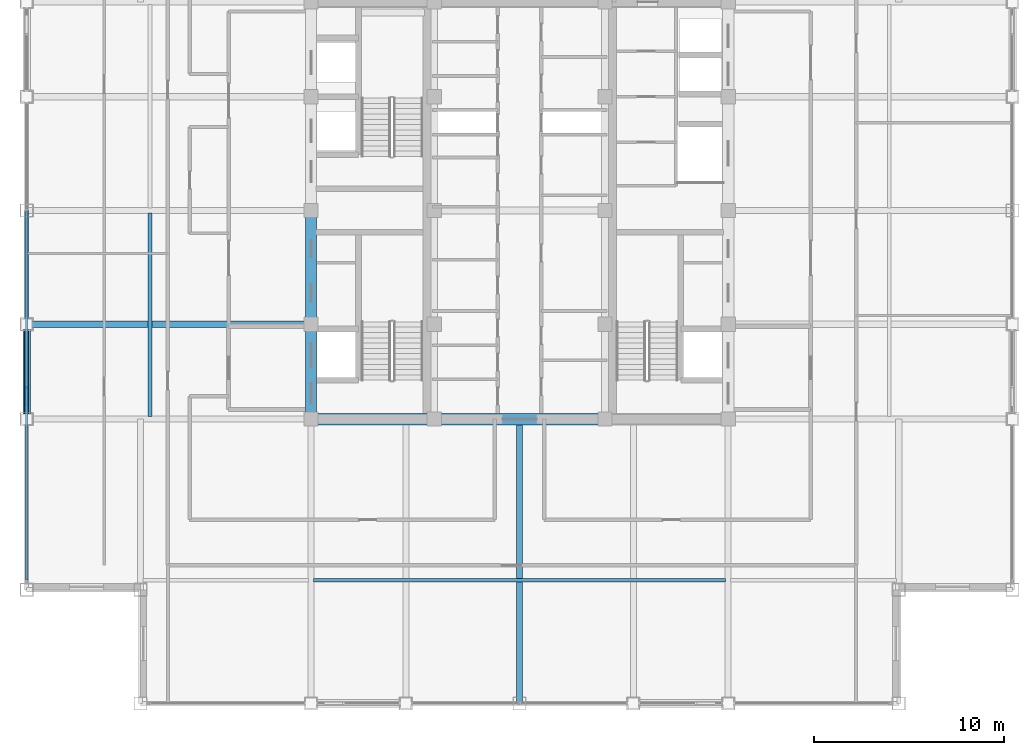
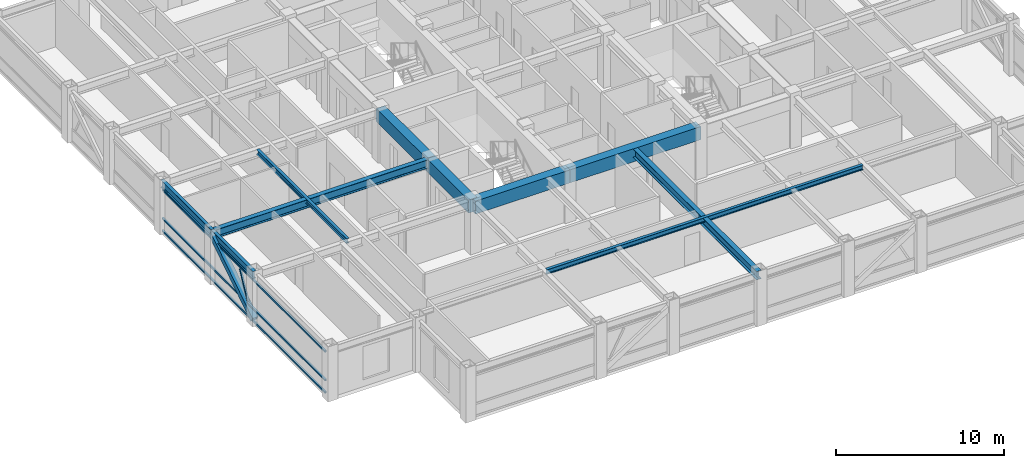
# One storey, part 5 of 29: 10 beams, 5 members, 1 element without a shape of its own.
"""IFC4 building model written with IfcOpenShell, lengths in metres."""

from ifc_helpers import new_model, si_unit, direction, frame, origin, origin_2d, place, context, subcontext, project, spatial, rectangle, hollow_rectangle, i_section, extrude, source, transform, mapped, material, material_profile, profile_set, type_object, element, aggregate, save


model = new_model("IFC4")

# Units and contexts
model_context = context("Model", 3, precision=1e-05, world=origin(), true_north=direction((0.0, 1.0)))
body_context = subcontext(model_context, "Body", "Model", "MODEL_VIEW")
ifc_project = project(units=[si_unit("LENGTHUNIT", "METRE"), si_unit("AREAUNIT", "SQUARE_METRE"), si_unit("VOLUMEUNIT", "CUBIC_METRE"), si_unit("PLANEANGLEUNIT", "RADIAN"), si_unit("MASSUNIT", "GRAM", prefix="KILO")], contexts=[model_context])

# Site, building, storey
site_placement = place(None, origin())
site = spatial("IfcSite", under=ifc_project, at=site_placement, CompositionType="ELEMENT")
building_placement = place(site_placement, origin())
building = spatial("IfcBuilding", under=site, at=building_placement, Name="Khorayat Bourse Tower", CompositionType="ELEMENT")
storey_placement = place(building_placement, frame((0.0, 0.0, 358.300048828125)))
storey = spatial("IfcBuildingStorey", under=building, at=storey_placement, Name="L85", CompositionType="ELEMENT", Elevation=358.300048828125)

# Beams
ifc_material_1 = material(Name="Concrete C60/75", Category="concrete")
ifc_material_profile_1 = material_profile(ifc_material_1, rectangle(XDim=0.60009765625, YDim=0.949951171875, at=origin_2d()), Name="RC 600x950")
ifc_profile_set_1 = profile_set([ifc_material_profile_1], Name="Concrete C60/75")
beam_type_1 = type_object("IfcBeamType", Name="BM-COUP-950", PredefinedType="BEAM", material=ifc_profile_set_1)
shared_shape_1 = source(origin(), body_context, "Body", "SweptSolid", [
    extrude(rectangle(XDim=0.60009765625, YDim=0.949951171875, at=origin_2d()), origin(), (0.0, 0.0, 1.0), 5.0),
])
beam_1_placement = place(storey_placement, frame((-11.0, -11.0, 3.264892578125), z_axis=(0.0, 1.0, 0.0), x_axis=(-1.0, 0.0, 0.0)))
element("IfcBeam", 1, at=beam_1_placement, inside=storey, type_object=beam_type_1, Name="L85 BM-COUP-950 BM-L85-CRX-01", PredefinedType="BEAM", context=body_context, shape_type="MappedRepresentation", body=[
    mapped(shared_shape_1, transform((0.0, 0.0, 0.0), scale=1.0)),
])
shared_shape_2 = source(origin(), body_context, "Body", "SweptSolid", [
    extrude(rectangle(XDim=0.60009765625, YDim=0.949951171875, at=origin_2d()), origin(), (0.0, 0.0, 1.0), 6.0),
])
beam_2_placement = place(storey_placement, frame((-11.0, -6.0, 3.264892578125), z_axis=(0.0, 1.0, 0.0), x_axis=(-1.0, 0.0, 0.0)))
element("IfcBeam", 2, at=beam_2_placement, inside=storey, type_object=beam_type_1, Name="L85 BM-COUP-950 BM-L85-CRX-02", PredefinedType="BEAM", context=body_context, shape_type="MappedRepresentation", body=[
    mapped(shared_shape_2, transform((0.0, 0.0, 0.0), scale=1.0)),
])
shared_shape_3 = source(origin(), body_context, "Body", "SweptSolid", [
    extrude(rectangle(XDim=0.60009765625, YDim=0.949951171875, at=origin_2d()), origin(), (0.0, 0.0, 1.0), 6.5),
])
beam_3_placement = place(storey_placement, frame((-11.0, -11.0, 3.264892578125), z_axis=(1.0, 0.0, 0.0), x_axis=(0.0, 1.0, 0.0)))
element("IfcBeam", 3, at=beam_3_placement, inside=storey, type_object=beam_type_1, Name="L85 BM-COUP-950 BM-L85-CRY-17", PredefinedType="BEAM", context=body_context, shape_type="MappedRepresentation", body=[
    mapped(shared_shape_3, transform((0.0, 0.0, 0.0), scale=1.0)),
])
shared_shape_4 = source(origin(), body_context, "Body", "SweptSolid", [
    extrude(rectangle(XDim=0.60009765625, YDim=0.949951171875, at=origin_2d()), origin(), (0.0, 0.0, 1.0), 9.0),
])
beam_4_placement = place(storey_placement, frame((-4.5, -11.0, 3.264892578125), z_axis=(1.0, 0.0, 0.0), x_axis=(0.0, 1.0, 0.0)))
element("IfcBeam", 4, at=beam_4_placement, inside=storey, type_object=beam_type_1, Name="L85 BM-COUP-950 BM-L85-CRY-18", PredefinedType="BEAM", context=body_context, shape_type="MappedRepresentation", body=[
    mapped(shared_shape_4, transform((0.0, 0.0, 0.0), scale=1.0)),
])
ifc_material_2 = material(Name="Steel ASTM A992 Grade 50", Category="steel")
ifc_material_profile_2 = material_profile(ifc_material_2, i_section(OverallWidth=0.202880859375, OverallDepth=0.346923828125, WebThickness=0.0078125, FlangeThickness=0.013427734375, FilletRadius=0.010009765625, at=origin_2d()), Name="W360X64")
ifc_profile_set_2 = profile_set([ifc_material_profile_2], Name="Steel ASTM A992 Grade 50")
beam_type_2 = type_object("IfcBeamType", Name="BM-JOIST-360", PredefinedType="JOIST", material=ifc_profile_set_2)
shared_shape_5 = source(origin(), body_context, "Body", "SweptSolid", [
    extrude(i_section(OverallWidth=0.202880859375, OverallDepth=0.346923828125, WebThickness=0.0078125, FlangeThickness=0.013427734375, FilletRadius=0.010009765625, at=origin_2d()), origin(), (0.0, 0.0, 1.0), 21.740234375),
])
beam_5_placement = place(storey_placement, frame((-10.8701171875, -19.5, 3.56640625), z_axis=(1.0, 0.0, 0.0), x_axis=(0.0, 1.0, 0.0)))
element("IfcBeam", 5, at=beam_5_placement, inside=storey, type_object=beam_type_2, Name="L85 BM-JOIST-360 BM-L85-JSTX-081", PredefinedType="JOIST", context=body_context, shape_type="MappedRepresentation", body=[
    mapped(shared_shape_5, transform((0.0, 0.0, 0.0), scale=1.0)),
])
shared_shape_6 = source(origin(), body_context, "Body", "SweptSolid", [
    extrude(i_section(OverallWidth=0.202880859375, OverallDepth=0.346923828125, WebThickness=0.0078125, FlangeThickness=0.013427734375, FilletRadius=0.010009765625, at=origin_2d()), origin(), (0.0, 0.0, 1.0), 10.740234375),
])
beam_6_placement = place(storey_placement, frame((-19.5, -10.8701171875, 3.56640625), z_axis=(0.0, 1.0, 0.0), x_axis=(-1.0, 0.0, 0.0)))
element("IfcBeam", 6, at=beam_6_placement, inside=storey, type_object=beam_type_2, Name="L85 BM-JOIST-360 BM-L85-JSTY-086", PredefinedType="JOIST", context=body_context, shape_type="MappedRepresentation", body=[
    mapped(shared_shape_6, transform((0.0, 0.0, 0.0), scale=1.0)),
])
ifc_material_profile_3 = material_profile(ifc_material_2, i_section(OverallWidth=0.214111328125, OverallDepth=0.549072265625, WebThickness=0.0146484375, FlangeThickness=0.023681640625, FilletRadius=0.013916015625, at=origin_2d()), Name="W530X138")
ifc_profile_set_3 = profile_set([ifc_material_profile_3], Name="Steel ASTM A992 Grade 50")
beam_type_3 = type_object("IfcBeamType", Name="BM-SPAN-530", PredefinedType="SPANDREL", material=ifc_profile_set_3)
shared_shape_7 = source(origin(), body_context, "Body", "SweptSolid", [
    extrude(i_section(OverallWidth=0.214111328125, OverallDepth=0.549072265625, WebThickness=0.0146484375, FlangeThickness=0.023681640625, FilletRadius=0.013916015625, at=origin_2d()), origin(), (0.0, 0.0, 1.0), 5.0),
])
beam_7_placement = place(storey_placement, frame((-26.0, -11.0, 3.46533203125), z_axis=(0.0, 1.0, 0.0), x_axis=(-1.0, 0.0, 0.0)))
element("IfcBeam", 7, at=beam_7_placement, inside=storey, type_object=beam_type_3, Name="L85 BM-SPAN-530 BM-L85-SPN-052", PredefinedType="SPANDREL", context=body_context, shape_type="MappedRepresentation", body=[
    mapped(shared_shape_7, transform((0.0, 0.0, 0.0), scale=1.0)),
])
shared_shape_8 = source(origin(), body_context, "Body", "SweptSolid", [
    extrude(i_section(OverallWidth=0.214111328125, OverallDepth=0.549072265625, WebThickness=0.0146484375, FlangeThickness=0.023681640625, FilletRadius=0.013916015625, at=origin_2d()), origin(), (0.0, 0.0, 1.0), 6.0),
])
beam_8_placement = place(storey_placement, frame((-26.0, -6.0, 3.46533203125), z_axis=(0.0, 1.0, 0.0), x_axis=(-1.0, 0.0, 0.0)))
element("IfcBeam", 8, at=beam_8_placement, inside=storey, type_object=beam_type_3, Name="L85 BM-SPAN-530 BM-L85-SPN-051", PredefinedType="SPANDREL", context=body_context, shape_type="MappedRepresentation", body=[
    mapped(shared_shape_8, transform((0.0, 0.0, 0.0), scale=1.0)),
])
ifc_material_profile_4 = material_profile(ifc_material_2, i_section(OverallWidth=0.324951171875, OverallDepth=0.615966796875, WebThickness=0.013916015625, FlangeThickness=0.021484375, FilletRadius=0.01611328125, at=origin_2d()), Name="W610X174")
ifc_profile_set_4 = profile_set([ifc_material_profile_4], Name="Steel ASTM A992 Grade 50")
beam_type_4 = type_object("IfcBeamType", Name="BM-GIRD-610", PredefinedType="BEAM", material=ifc_profile_set_4)
shared_shape_9 = source(origin(), body_context, "Body", "SweptSolid", [
    extrude(i_section(OverallWidth=0.324951171875, OverallDepth=0.615966796875, WebThickness=0.013916015625, FlangeThickness=0.021484375, FilletRadius=0.01611328125, at=origin_2d()), origin(), (0.0, 0.0, 1.0), 15.0),
])
for number, where, z_axis, x_axis, name in (
    (9, (0.0, -26.0, 3.431884765625), (0.0, 1.0, 0.0), (-1.0, 0.0, 0.0), "L85 BM-GIRD-610 BM-L85-RADY-061"),
    (10, (-26.0, -6.0, 3.431884765625), (1.0, 0.0, 0.0), (0.0, 1.0, 0.0), "L85 BM-GIRD-610 BM-L85-RADX-069"),
):
    element("IfcBeam", number, at=place(storey_placement, frame(where, z_axis=z_axis, x_axis=x_axis)), inside=storey, type_object=beam_type_4, Name=name, PredefinedType="BEAM", context=body_context, shape_type="MappedRepresentation", body=[
        mapped(shared_shape_9, transform((0.0, 0.0, 0.0), scale=1.0)),
    ])

# Member
ifc_material_3 = material(Name="Steel EN 10025-4 S460M", Category="steel")
ifc_material_profile_5 = material_profile(ifc_material_3, hollow_rectangle(XDim=0.39990234375, YDim=0.39990234375, WallThickness=0.02197265625, at=origin_2d()), Name="HSS 400x400x22")
ifc_profile_set_5 = profile_set([ifc_material_profile_5], Name="Steel EN 10025-4 S460M")
member_type_1 = type_object("IfcMemberType", Name="MBR-TUBE-400", PredefinedType="BRACE", material=ifc_profile_set_5)
shared_shape_10 = source(origin(), body_context, "Body", "SweptSolid", [
    extrude(hollow_rectangle(XDim=0.39990234375, YDim=0.39990234375, WallThickness=0.02197265625, at=origin_2d()), origin(), (0.0, 0.0, 1.0), 5.9580078125),
])
member_1_placement = place(storey_placement, frame((-26.0, -11.0, 0.25), z_axis=(0.0, 0.839210474455, 0.543806748364), x_axis=(-1.0, 0.0, 0.0)))
element("IfcMember", 11, at=member_1_placement, inside=storey, type_object=member_type_1, Name="L85 Perimeter Tube Brace 05", PredefinedType="BRACE", context=body_context, shape_type="MappedRepresentation", body=[
    mapped(shared_shape_10, transform((0.0, 0.0, 0.0), scale=1.0)),
])

# Curtain wall, members
ifc_material_4 = material(Name="Aluminium EN AW-6063 T6", Category="aluminium")
curtain_wall_type = type_object("IfcCurtainWallType", Name="CW-SYS-04", PredefinedType="NOTDEFINED", material=ifc_material_4)
curtain_wall_placement = place(storey_placement, origin())
curtain_wall = element("IfcCurtainWall", 12, at=curtain_wall_placement, inside=storey, type_object=curtain_wall_type, Name="L85 Curtain Wall CW-L85-W1", PredefinedType="NOTDEFINED")
ifc_material_profile_6 = material_profile(ifc_material_4, hollow_rectangle(XDim=0.1201171875, YDim=0.1201171875, WallThickness=0.0048828125, at=origin_2d()), Name="ALU 120x120x5")
ifc_profile_set_6 = profile_set([ifc_material_profile_6], Name="Aluminium EN AW-6063 T6")
member_type_2 = type_object("IfcMemberType", Name="CWM-DIAG-120", PredefinedType="MULLION", material=ifc_profile_set_6)
shared_shape_11 = source(origin(), body_context, "Body", "SweptSolid", [
    extrude(hollow_rectangle(XDim=0.1201171875, YDim=0.1201171875, WallThickness=0.0048828125, at=origin_2d()), origin(), (0.0, 0.0, 1.0), 2.0341796875),
])
member_2_placement = place(storey_placement, frame((-26.0, -10.24365234375, 1.08984375), z_axis=(0.0, 0.465696964104, 0.884944256789), x_axis=(-1.0, 0.0, 0.0)))
member_2 = element("IfcMember", 13, at=member_2_placement, type_object=member_type_2, Name="CW-L85-W1 Faceted Diagonal Mullion 1", PredefinedType="MULLION", context=body_context, shape_type="MappedRepresentation", body=[
    mapped(shared_shape_11, transform((0.0, 0.0, 0.0), scale=1.0)),
])
ifc_material_profile_7 = material_profile(ifc_material_4, hollow_rectangle(XDim=0.1201171875, YDim=0.1201171875, WallThickness=0.0048828125, at=origin_2d()), Name="ALU 120x120x5")
ifc_profile_set_7 = profile_set([ifc_material_profile_7], Name="Aluminium EN AW-6063 T6")
member_type_3 = type_object("IfcMemberType", Name="CWT-HORZ-120", PredefinedType="USERDEFINED", material=ifc_profile_set_7)
shared_shape_12 = source(origin(), body_context, "Body", "SweptSolid", [
    extrude(hollow_rectangle(XDim=0.1201171875, YDim=0.1201171875, WallThickness=0.0048828125, at=origin_2d()), origin(), (0.0, 0.0, 1.0), 19.419921875),
])
member_3_placement = place(storey_placement, frame((-26.0, -19.47998046875, 0.06005859375), z_axis=(0.0, 1.0, 0.0), x_axis=(-1.0, 0.0, 0.0)))
member_3 = element("IfcMember", 14, at=member_3_placement, type_object=member_type_3, Name="CW-L85-W1 Horizontal Transom 1-1", ObjectType="TRANSOM", PredefinedType="USERDEFINED", context=body_context, shape_type="MappedRepresentation", body=[
    mapped(shared_shape_12, transform((0.0, 0.0, 0.0), scale=1.0)),
])
member_4_placement = place(storey_placement, frame((-26.0, -19.47998046875, 0.949951171875), z_axis=(0.0, 1.0, 0.0), x_axis=(-1.0, 0.0, 0.0)))
member_4 = element("IfcMember", 15, at=member_4_placement, type_object=member_type_3, Name="CW-L85-W1 Horizontal Transom 1-2", ObjectType="TRANSOM", PredefinedType="USERDEFINED", context=body_context, shape_type="MappedRepresentation", body=[
    mapped(shared_shape_12, transform((0.0, 0.0, 0.0), scale=1.0)),
])
member_5_placement = place(storey_placement, frame((-26.0, -19.47998046875, 3.030029296875), z_axis=(0.0, 1.0, 0.0), x_axis=(-1.0, 0.0, 0.0)))
member_5 = element("IfcMember", 16, at=member_5_placement, type_object=member_type_3, Name="CW-L85-W1 Horizontal Transom 1-3", ObjectType="TRANSOM", PredefinedType="USERDEFINED", context=body_context, shape_type="MappedRepresentation", body=[
    mapped(shared_shape_12, transform((0.0, 0.0, 0.0), scale=1.0)),
])
aggregate(curtain_wall, [member_3, member_4, member_5, member_2])

save(model, "model.ifc")
